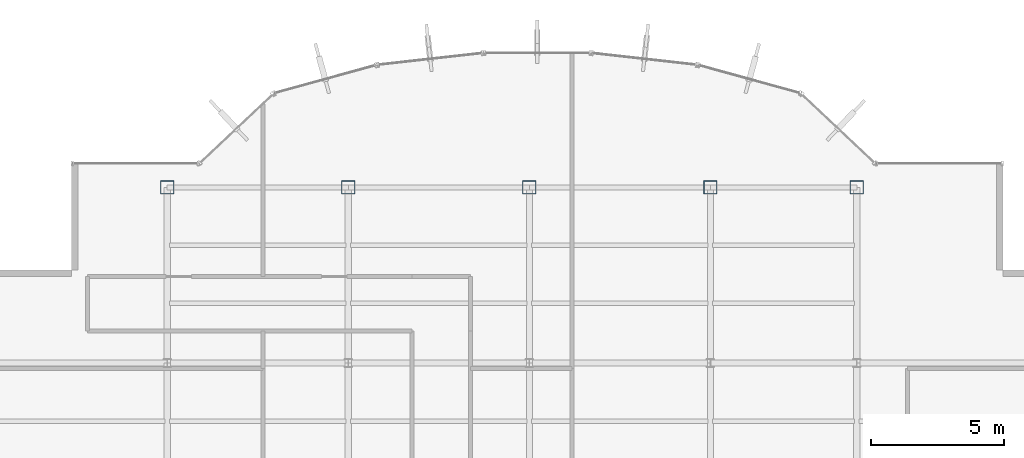
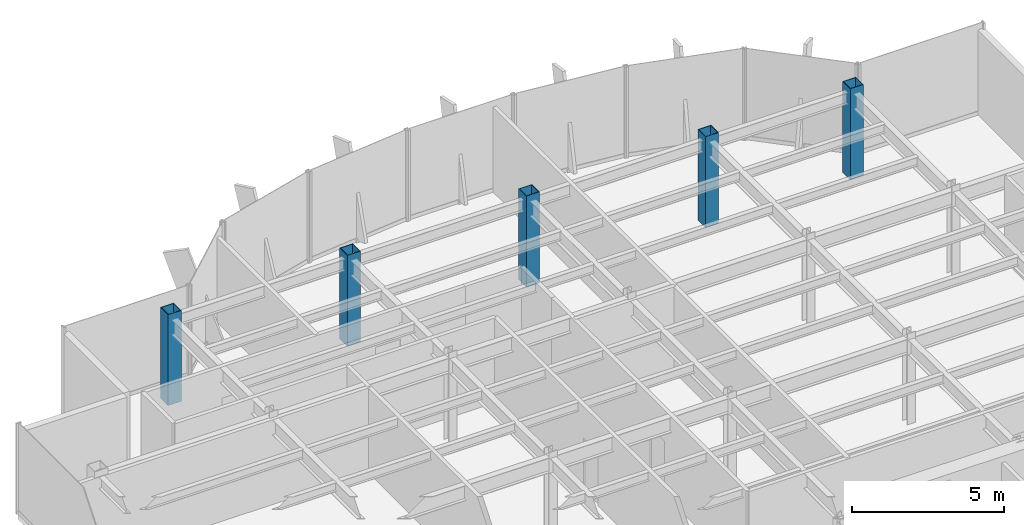
# One storey, part 2 of 22: 5 columns.
"""IFC4 building model written with IfcOpenShell, lengths in metres."""

from ifc_helpers import new_model, si_unit, derived_unit, direction, frame, origin, origin_2d, place, context, subcontext, project, spatial, hollow_rectangle, extrude, source, transform, mapped, material, material_profile, profile_set, type_object, element, save


model = new_model("IFC4")

# Units and contexts
model_context = context("Model", 3, precision=1e-05, world=origin(), true_north=direction((0.0, 1.0)))
body_context = subcontext(model_context, "Body", "Model", "MODEL_VIEW")
ifc_project = project(units=[si_unit("LENGTHUNIT", "METRE"), si_unit("AREAUNIT", "SQUARE_METRE"), si_unit("VOLUMEUNIT", "CUBIC_METRE"), si_unit("PLANEANGLEUNIT", "RADIAN"), si_unit("MASSUNIT", "GRAM", prefix="KILO"), derived_unit("THERMALTRANSMITTANCEUNIT", [(si_unit("POWERUNIT", "WATT"), 1), (si_unit("LENGTHUNIT", "METRE"), -2), (si_unit("THERMODYNAMICTEMPERATUREUNIT", "KELVIN"), -1)])], contexts=[model_context])

# Site, building, storey
site_placement = place(None, origin())
site = spatial("IfcSite", under=ifc_project, at=site_placement, CompositionType="ELEMENT")
building_placement = place(site_placement, origin())
building = spatial("IfcBuilding", under=site, at=building_placement, Name="Skarnbrae Concourse Arena and Tower", CompositionType="ELEMENT")
storey_placement = place(building_placement, frame((0.0, 0.0, 192.25)))
storey = spatial("IfcBuildingStorey", under=building, at=storey_placement, Name="L49", CompositionType="ELEMENT", Elevation=192.25)

# Columns
ifc_material = material(Name="Steel CSA G40.21 350W", Category="steel")
ifc_material_profile = material_profile(ifc_material, hollow_rectangle(XDim=0.5, YDim=0.5, WallThickness=0.02197265625, at=origin_2d()), Name="HSS500X500X22.0")
ifc_profile_set = profile_set([ifc_material_profile], Name="Steel CSA G40.21 350W")
column_type = type_object("IfcColumnType", Name="COL-TUBE-HSS500", PredefinedType="COLUMN", material=ifc_profile_set)
shared_shape = source(origin(), body_context, "Body", "SweptSolid", [
    extrude(hollow_rectangle(XDim=0.5, YDim=0.5, WallThickness=0.02197265625, at=origin_2d()), origin(), (0.0, 0.0, 1.0), 3.64990234375),
])
for number, where, z_axis, x_axis, name in (
    (1, (7.60009765625, 34.39990234375, 0.0), (0.0, 0.0, 1.0), (1.0, 0.0, 0.0), "L49 Tower column PC_02_05"),
    (2, (14.39990234375, 34.39990234375, 0.0), (0.0, 0.0, 1.0), (1.0, 0.0, 0.0), "L49 Tower column PC_03_05"),
    (3, (21.199951171875, 34.39990234375, 0.0), (0.0, 0.0, 1.0), (1.0, 0.0, 0.0), "L49 Tower column PC_04_05"),
    (4, (28.0, 34.39990234375, 0.0), (0.0, 0.0, 1.0), (1.0, 0.0, 0.0), "L49 Tower column PC_05_05"),
    (5, (33.5, 34.39990234375, 0.0), (0.0, 0.0, 1.0), (1.0, 0.0, 0.0), "L49 Tower column PC_06_05"),
):
    element("IfcColumn", number, at=place(storey_placement, frame(where, z_axis=z_axis, x_axis=x_axis)), inside=storey, type_object=column_type, Name=name, PredefinedType="COLUMN", context=body_context, shape_type="MappedRepresentation", body=[
        mapped(shared_shape, transform((0.0, 0.0, 0.0))),
    ])

save(model, "model.ifc")
